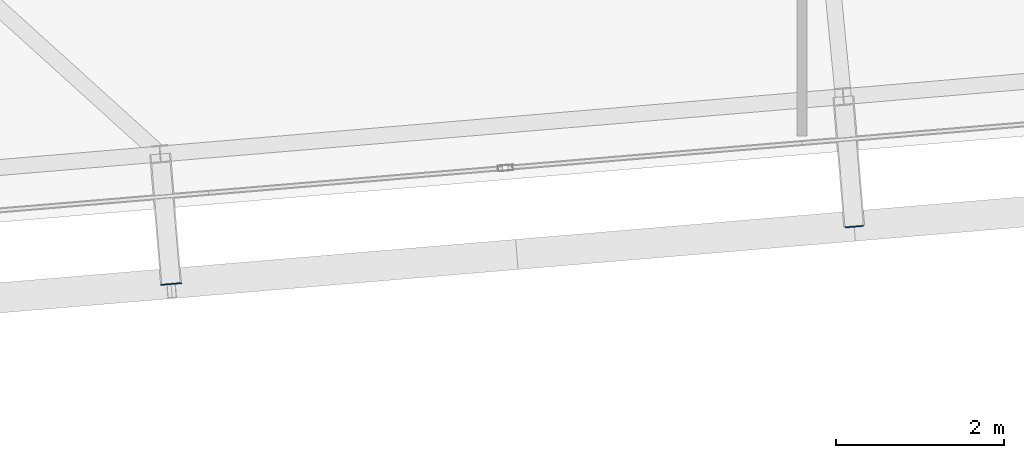
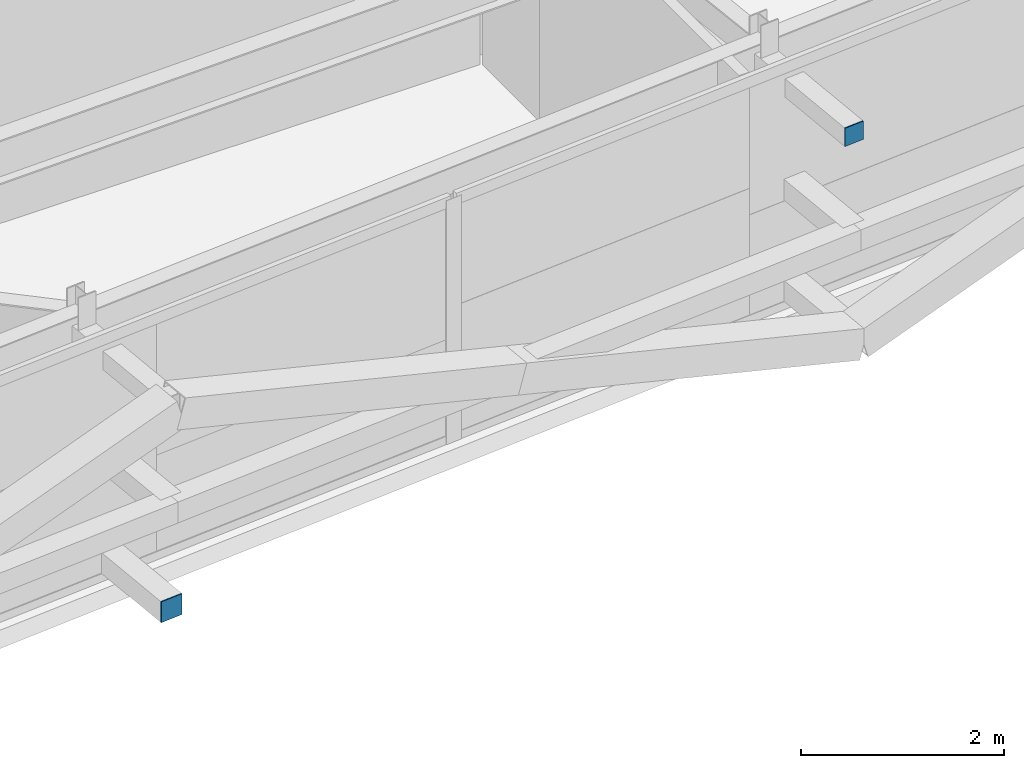
# One storey, part 28 of 39: 2 plates.
"""IFC4 building model written with IfcOpenShell, lengths in metres."""

from ifc_helpers import new_model, si_unit, direction, frame, origin, origin_2d, place, context, subcontext, project, spatial, rectangle, extrude, source, transform, mapped, material, layer, layer_set, type_object, element, save


model = new_model("IFC4")

# Units and contexts
model_context = context("Model", 3, precision=1e-05, world=origin(), true_north=direction((0.0, 1.0)))
body_context = subcontext(model_context, "Body", "Model", "MODEL_VIEW")
ifc_project = project(units=[si_unit("LENGTHUNIT", "METRE"), si_unit("AREAUNIT", "SQUARE_METRE"), si_unit("VOLUMEUNIT", "CUBIC_METRE"), si_unit("PLANEANGLEUNIT", "RADIAN"), si_unit("MASSUNIT", "GRAM", prefix="KILO")], contexts=[model_context])

# Site, building, storey
site_placement = place(None, origin())
site = spatial("IfcSite", under=ifc_project, at=site_placement, CompositionType="ELEMENT")
building_placement = place(site_placement, origin())
building = spatial("IfcBuilding", under=site, at=building_placement, Name="Taldren Reach Tower", CompositionType="ELEMENT")
storey_placement = place(building_placement, frame((0.0, 0.0, 175.699951171875)))
storey = spatial("IfcBuildingStorey", under=building, at=storey_placement, Name="L53", CompositionType="ELEMENT", Elevation=175.699951171875)

# Plates
ifc_material_1 = material(Name="Steel Gr 350 (C350L0)", Category="steel")
ifc_layer_1 = layer(ifc_material_1, 0.011962890625)
ifc_layer_set_1 = layer_set([ifc_layer_1], Name="Steel Gr 350 (C350L0)")
plate_type_1 = type_object("IfcPlateType", Name="PL-CAP-250", PredefinedType="SHEET", material=ifc_layer_set_1)
shared_shape_1 = source(origin(), body_context, "Body", "SweptSolid", [
    extrude(rectangle(XDim=0.25, YDim=0.011962890625, at=origin_2d()), origin(), (0.0, 0.0, 1.0), 0.25),
])
plate_1_placement = place(storey_placement, frame((34.472412109375, 1.912353515625, 0.094970703125), z_axis=(0.0, 0.0, 1.0), x_axis=(0.99649285925, 0.083677843332, 0.0)))
element("IfcPlate", 1, at=plate_1_placement, inside=storey, type_object=plate_type_1, Name="Tie strut end cap plate B4-S3 L53", PredefinedType="SHEET", context=body_context, shape_type="MappedRepresentation", body=[
    mapped(shared_shape_1, transform((0.0, 0.0, 0.0), scale=1.0)),
])
ifc_material_2 = material(Name="Steel Gr 450 (C450L0)", Category="steel")
ifc_layer_2 = layer(ifc_material_2, 0.011962890625)
ifc_layer_set_2 = layer_set([ifc_layer_2], Name="Steel Gr 450 (C450L0)")
plate_type_2 = type_object("IfcPlateType", Name="PL-CAP-220", PredefinedType="SHEET", material=ifc_layer_set_2)
shared_shape_2 = source(origin(), body_context, "Body", "SweptSolid", [
    extrude(rectangle(XDim=0.219970703125, YDim=0.011962890625, at=origin_2d()), origin(), (0.0, 0.0, 1.0), 0.219970703125),
])
plate_2_placement = place(storey_placement, frame((42.623779296875, 2.596923828125, 2.5400390625), z_axis=(0.0, 0.0, 1.0), x_axis=(0.99649285925, 0.083677843332, 0.0)))
element("IfcPlate", 2, at=plate_2_placement, inside=storey, type_object=plate_type_2, Name="Tie strut end cap plate B4-S4 L53", PredefinedType="SHEET", context=body_context, shape_type="MappedRepresentation", body=[
    mapped(shared_shape_2, transform((0.0, 0.0, 0.0), scale=1.0)),
])

save(model, "model.ifc")
